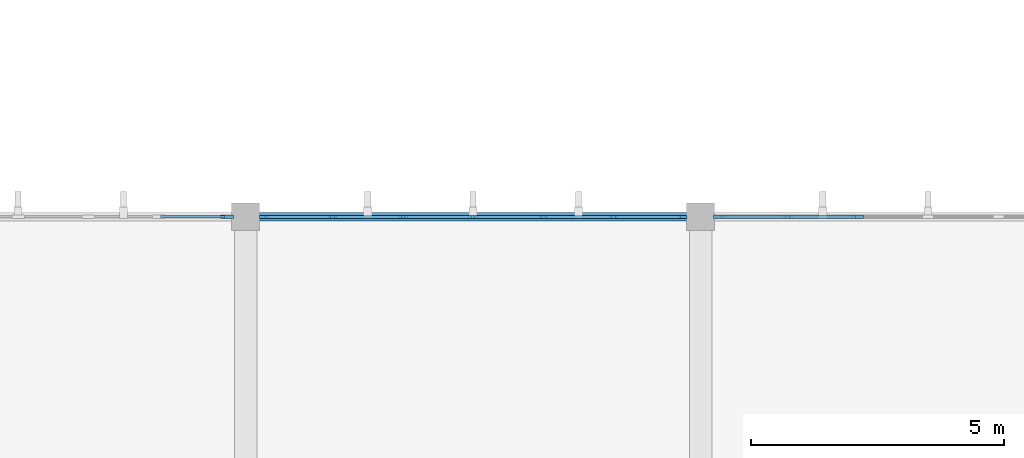
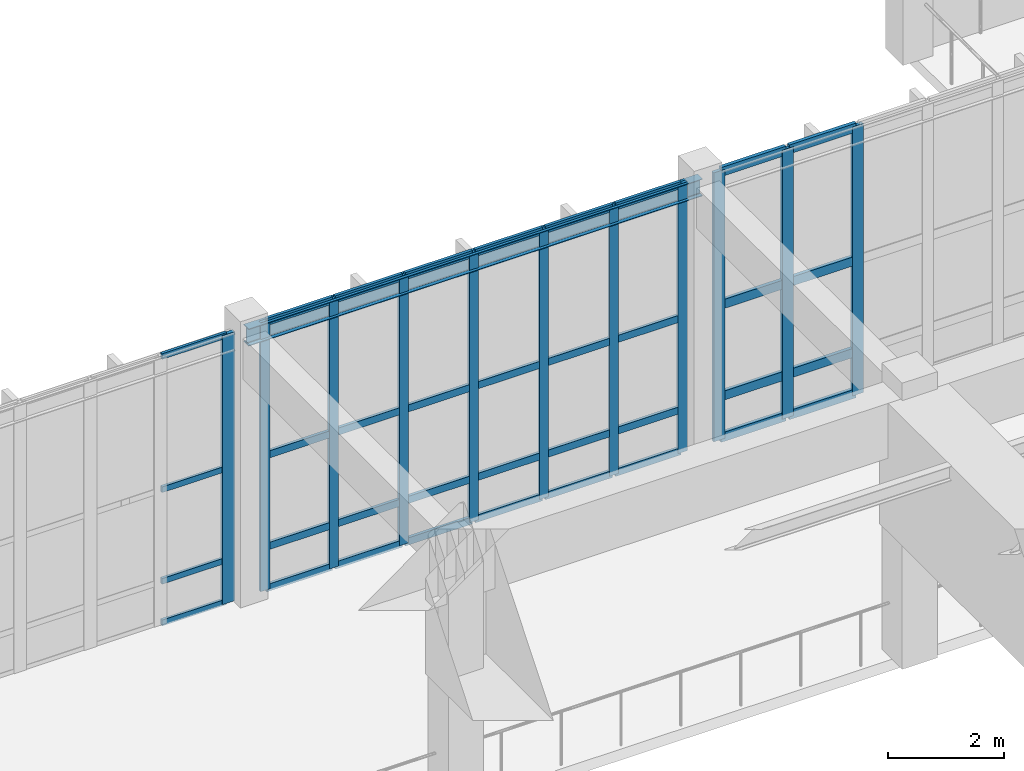
# One storey, part 43 of 105: 47 members, 1 beam, 3 elements without a shape of their own.
"""IFC4 building model written with IfcOpenShell, lengths in metres."""

from ifc_helpers import new_model, si_unit, direction, frame, origin, origin_2d, place, context, subcontext, project, spatial, rectangle, i_section, extrude, material, material_profile, profile_set, type_object, element, aggregate, save


model = new_model("IFC4")

# Units and contexts
model_context = context("Model", 3, precision=1e-05, world=origin(), true_north=direction((0.0, 1.0)))
body_context = subcontext(model_context, "Body", "Model", "MODEL_VIEW")
ifc_project = project(units=[si_unit("LENGTHUNIT", "METRE"), si_unit("AREAUNIT", "SQUARE_METRE"), si_unit("VOLUMEUNIT", "CUBIC_METRE"), si_unit("PLANEANGLEUNIT", "RADIAN"), si_unit("MASSUNIT", "GRAM", prefix="KILO")], contexts=[model_context])

# Site, building, storey
site_placement = place(None, origin())
site = spatial("IfcSite", under=ifc_project, at=site_placement, CompositionType="ELEMENT")
building_placement = place(site_placement, origin())
building = spatial("IfcBuilding", under=site, at=building_placement, Name="Tizgana Railside Sports Hall", CompositionType="ELEMENT")
storey_placement = place(building_placement, frame((0.0, 0.0, 6.0)))
storey = spatial("IfcBuildingStorey", under=building, at=storey_placement, Name="L01", CompositionType="ELEMENT", Elevation=6.0)

# Curtain wall, members
ifc_material_1 = material(Name="Anodised aluminium and glass", Category="aluminium")
curtain_wall_type_1 = type_object("IfcCurtainWallType", Name="Unitised Curtain Wall Studio 1400", PredefinedType="NOTDEFINED", material=ifc_material_1)
curtain_wall_1_placement = place(storey_placement, origin())
curtain_wall_1 = element("IfcCurtainWall", 1, at=curtain_wall_1_placement, inside=storey, type_object=curtain_wall_type_1, Name="L01 Curtain Wall CW-0026", PredefinedType="NOTDEFINED")
ifc_material_2 = material(Name="Anodised aluminium", Category="aluminium")
ifc_material_profile_1 = material_profile(ifc_material_2, rectangle(XDim=0.06005859375, YDim=0.179931640625, at=origin_2d()), Name="Mullion 60x180")
ifc_profile_set_1 = profile_set([ifc_material_profile_1], Name="Anodised aluminium")
member_type_1 = type_object("IfcMemberType", Name="Mullion 60x180", PredefinedType="MULLION", material=ifc_profile_set_1)
member_1_placement = place(storey_placement, frame((116.159912109375, 80.39990234375, 0.0), z_axis=(0.0, 0.0, 1.0), x_axis=(0.0, 1.0, 0.0)))
member_1 = element("IfcMember", 2, at=member_1_placement, type_object=member_type_1, Name="CW-03 mullion 1", PredefinedType="MULLION", context=body_context, shape_type="SweptSolid", body=[
    extrude(rectangle(XDim=0.06005859375, YDim=0.179931640625, at=origin_2d()), origin(), (0.0, 0.0, 1.0), 5.639892578125),
])
member_2_placement = place(storey_placement, frame((117.52001953125, 80.39990234375, 0.0), z_axis=(0.0, 0.0, 1.0), x_axis=(0.0, 1.0, 0.0)))
member_2 = element("IfcMember", 3, at=member_2_placement, type_object=member_type_1, Name="CW-03 mullion 2", PredefinedType="MULLION", context=body_context, shape_type="SweptSolid", body=[
    extrude(rectangle(XDim=0.06005859375, YDim=0.179931640625, at=origin_2d()), origin(), (0.0, 0.0, 1.0), 5.639892578125),
])
member_3_placement = place(storey_placement, frame((118.909912109375, 80.39990234375, 0.0), z_axis=(0.0, 0.0, 1.0), x_axis=(0.0, 1.0, 0.0)))
member_3 = element("IfcMember", 4, at=member_3_placement, type_object=member_type_1, Name="CW-03 mullion 3", PredefinedType="MULLION", context=body_context, shape_type="SweptSolid", body=[
    extrude(rectangle(XDim=0.06005859375, YDim=0.179931640625, at=origin_2d()), origin(), (0.0, 0.0, 1.0), 5.639892578125),
])
member_4_placement = place(storey_placement, frame((120.300048828125, 80.39990234375, 0.0), z_axis=(0.0, 0.0, 1.0), x_axis=(0.0, 1.0, 0.0)))
member_4 = element("IfcMember", 5, at=member_4_placement, type_object=member_type_1, Name="CW-03 mullion 4", PredefinedType="MULLION", context=body_context, shape_type="SweptSolid", body=[
    extrude(rectangle(XDim=0.06005859375, YDim=0.179931640625, at=origin_2d()), origin(), (0.0, 0.0, 1.0), 5.639892578125),
])
member_5_placement = place(storey_placement, frame((121.68994140625, 80.39990234375, 0.0), z_axis=(0.0, 0.0, 1.0), x_axis=(0.0, 1.0, 0.0)))
member_5 = element("IfcMember", 6, at=member_5_placement, type_object=member_type_1, Name="CW-03 mullion 5", PredefinedType="MULLION", context=body_context, shape_type="SweptSolid", body=[
    extrude(rectangle(XDim=0.06005859375, YDim=0.179931640625, at=origin_2d()), origin(), (0.0, 0.0, 1.0), 5.639892578125),
])
member_6_placement = place(storey_placement, frame((123.080078125, 80.39990234375, 0.0), z_axis=(0.0, 0.0, 1.0), x_axis=(0.0, 1.0, 0.0)))
member_6 = element("IfcMember", 7, at=member_6_placement, type_object=member_type_1, Name="CW-03 mullion 6", PredefinedType="MULLION", context=body_context, shape_type="SweptSolid", body=[
    extrude(rectangle(XDim=0.06005859375, YDim=0.179931640625, at=origin_2d()), origin(), (0.0, 0.0, 1.0), 5.639892578125),
])
member_7_placement = place(storey_placement, frame((124.43994140625, 80.39990234375, 0.0), z_axis=(0.0, 0.0, 1.0), x_axis=(0.0, 1.0, 0.0)))
member_7 = element("IfcMember", 8, at=member_7_placement, type_object=member_type_1, Name="CW-03 mullion 7", PredefinedType="MULLION", context=body_context, shape_type="SweptSolid", body=[
    extrude(rectangle(XDim=0.06005859375, YDim=0.179931640625, at=origin_2d()), origin(), (0.0, 0.0, 1.0), 5.639892578125),
])

curtain_wall_type_2 = type_object("IfcCurtainWallType", Name="Unitised Curtain Wall Clinic 1200", PredefinedType="NOTDEFINED", material=ifc_material_1)
curtain_wall_2_placement = place(storey_placement, origin())
curtain_wall_2 = element("IfcCurtainWall", 9, at=curtain_wall_2_placement, inside=storey, type_object=curtain_wall_type_2, Name="L01 Curtain Wall CW-0028", PredefinedType="NOTDEFINED")
ifc_material_profile_2 = material_profile(ifc_material_2, rectangle(XDim=0.070068359375, YDim=0.219970703125, at=origin_2d()), Name="Mullion 70x220")
ifc_profile_set_2 = profile_set([ifc_material_profile_2], Name="Anodised aluminium")
member_type_2 = type_object("IfcMemberType", Name="Mullion 70x220", PredefinedType="MULLION", material=ifc_profile_set_2)
member_8_placement = place(storey_placement, frame((125.1650390625, 80.39990234375, 0.0), z_axis=(0.0, 0.0, 1.0), x_axis=(0.0, 1.0, 0.0)))
member_8 = element("IfcMember", 10, at=member_8_placement, type_object=member_type_2, Name="CW-05 mullion 1", PredefinedType="MULLION", context=body_context, shape_type="SweptSolid", body=[
    extrude(rectangle(XDim=0.070068359375, YDim=0.219970703125, at=origin_2d()), origin(), (0.0, 0.0, 1.0), 5.639892578125),
])
member_9_placement = place(storey_placement, frame((126.52001953125, 80.39990234375, 0.0), z_axis=(0.0, 0.0, 1.0), x_axis=(0.0, 1.0, 0.0)))
member_9 = element("IfcMember", 11, at=member_9_placement, type_object=member_type_2, Name="CW-05 mullion 2", PredefinedType="MULLION", context=body_context, shape_type="SweptSolid", body=[
    extrude(rectangle(XDim=0.070068359375, YDim=0.219970703125, at=origin_2d()), origin(), (0.0, 0.0, 1.0), 5.639892578125),
])
member_10_placement = place(storey_placement, frame((127.909912109375, 80.39990234375, 0.0), z_axis=(0.0, 0.0, 1.0), x_axis=(0.0, 1.0, 0.0)))
member_10 = element("IfcMember", 12, at=member_10_placement, type_object=member_type_2, Name="CW-05 mullion 3", PredefinedType="MULLION", context=body_context, shape_type="SweptSolid", body=[
    extrude(rectangle(XDim=0.070068359375, YDim=0.219970703125, at=origin_2d()), origin(), (0.0, 0.0, 1.0), 5.639892578125),
])

# Curtain wall, member
curtain_wall_type_3 = type_object("IfcCurtainWallType", Name="Unitised Curtain Wall EastHall 1500", PredefinedType="NOTDEFINED", material=ifc_material_1)
curtain_wall_3_placement = place(storey_placement, origin())
curtain_wall_3 = element("IfcCurtainWall", 13, at=curtain_wall_3_placement, inside=storey, type_object=curtain_wall_type_3, Name="L01 Curtain Wall CW-0023", PredefinedType="NOTDEFINED")
ifc_material_profile_3 = material_profile(ifc_material_2, rectangle(XDim=0.074951171875, YDim=0.25, at=origin_2d()), Name="Mullion 75x250")
ifc_profile_set_3 = profile_set([ifc_material_profile_3], Name="Anodised aluminium")
member_type_3 = type_object("IfcMemberType", Name="Mullion 75x250", PredefinedType="MULLION", material=ifc_profile_set_3)
member_11_placement = place(storey_placement, frame((115.4326171875, 80.39990234375, 0.0), z_axis=(0.0, 0.0, 1.0), x_axis=(0.0, 1.0, 0.0)))
member_11 = element("IfcMember", 14, at=member_11_placement, type_object=member_type_3, Name="CW-08 mullion 7", PredefinedType="MULLION", context=body_context, shape_type="SweptSolid", body=[
    extrude(rectangle(XDim=0.074951171875, YDim=0.25, at=origin_2d()), origin(), (0.0, 0.0, 1.0), 5.639892578125),
])

# Beam
ifc_material_3 = material(Name="Steel S355J2", Category="steel")
ifc_material_profile_4 = material_profile(ifc_material_3, i_section(OverallWidth=0.169921875, OverallDepth=0.360107421875, WebThickness=0.008056640625, FlangeThickness=0.0126953125, FilletRadius=0.01806640625, at=origin_2d()), Name="IPE 360")
ifc_profile_set_4 = profile_set([ifc_material_profile_4], Name="Steel S355J2")
beam_type = type_object("IfcBeamType", Name="Steel Joist IPE 360", PredefinedType="JOIST", material=ifc_profile_set_4)
beam_placement = place(storey_placement, frame((115.800048828125, 80.39990234375, 5.4560546875), z_axis=(1.0, 0.0, 0.0), x_axis=(0.0, 1.0, 0.0)))
element("IfcBeam", 15, at=beam_placement, inside=storey, type_object=beam_type, Name="L01 BEM-0315", PredefinedType="JOIST", context=body_context, shape_type="SweptSolid", body=[
    extrude(i_section(OverallWidth=0.169921875, OverallDepth=0.360107421875, WebThickness=0.008056640625, FlangeThickness=0.0126953125, FilletRadius=0.01806640625, at=origin_2d()), origin(), (0.0, 0.0, 1.0), 9.0),
])

# Member
ifc_material_profile_5 = material_profile(ifc_material_2, rectangle(XDim=0.054931640625, YDim=0.1201171875, at=origin_2d()), Name="Transom 55x120")
ifc_profile_set_5 = profile_set([ifc_material_profile_5], Name="Anodised aluminium")
member_type_4 = type_object("IfcMemberType", Name="Transom 55x120", PredefinedType="USERDEFINED", material=ifc_profile_set_5)
member_12_placement = place(storey_placement, frame((114.117431640625, 80.39990234375, 0.027587890625), z_axis=(1.0, 0.0, 0.0), x_axis=(0.0, 1.0, 0.0)))
member_12 = element("IfcMember", 16, at=member_12_placement, type_object=member_type_4, Name="CW-08 transom 6.1", ObjectType="TRANSOM", PredefinedType="USERDEFINED", context=body_context, shape_type="SweptSolid", body=[
    extrude(rectangle(XDim=0.054931640625, YDim=0.1201171875, at=origin_2d()), origin(), (0.0, 0.0, 1.0), 1.277587890625),
])

member_13_placement = place(storey_placement, frame((114.117431640625, 80.39990234375, 0.89990234375), z_axis=(1.0, 0.0, 0.0), x_axis=(0.0, 1.0, 0.0)))
member_13 = element("IfcMember", 17, at=member_13_placement, type_object=member_type_4, Name="CW-08 transom 6.2", ObjectType="TRANSOM", PredefinedType="USERDEFINED", context=body_context, shape_type="SweptSolid", body=[
    extrude(rectangle(XDim=0.054931640625, YDim=0.1201171875, at=origin_2d()), origin(), (0.0, 0.0, 1.0), 1.277587890625),
])

member_14_placement = place(storey_placement, frame((114.117431640625, 80.39990234375, 2.820068359375), z_axis=(1.0, 0.0, 0.0), x_axis=(0.0, 1.0, 0.0)))
member_14 = element("IfcMember", 18, at=member_14_placement, type_object=member_type_4, Name="CW-08 transom 6.3", ObjectType="TRANSOM", PredefinedType="USERDEFINED", context=body_context, shape_type="SweptSolid", body=[
    extrude(rectangle(XDim=0.054931640625, YDim=0.1201171875, at=origin_2d()), origin(), (0.0, 0.0, 1.0), 1.277587890625),
])

member_15_placement = place(storey_placement, frame((114.117431640625, 80.39990234375, 5.612548828125), z_axis=(1.0, 0.0, 0.0), x_axis=(0.0, 1.0, 0.0)))
member_15 = element("IfcMember", 19, at=member_15_placement, type_object=member_type_4, Name="CW-08 transom 6.4", ObjectType="TRANSOM", PredefinedType="USERDEFINED", context=body_context, shape_type="SweptSolid", body=[
    extrude(rectangle(XDim=0.054931640625, YDim=0.1201171875, at=origin_2d()), origin(), (0.0, 0.0, 1.0), 1.277587890625),
])

aggregate(curtain_wall_3, [member_11, member_12, member_13, member_14, member_15])

ifc_material_profile_6 = material_profile(ifc_material_2, rectangle(XDim=0.06005859375, YDim=0.14990234375, at=origin_2d()), Name="Transom 60x150")
ifc_profile_set_6 = profile_set([ifc_material_profile_6], Name="Anodised aluminium")
member_type_5 = type_object("IfcMemberType", Name="Transom 60x150", PredefinedType="USERDEFINED", material=ifc_profile_set_6)
member_16_placement = place(storey_placement, frame((116.18994140625, 80.39990234375, 0.030029296875), z_axis=(1.0, 0.0, 0.0), x_axis=(0.0, 1.0, 0.0)))
member_16 = element("IfcMember", 20, at=member_16_placement, type_object=member_type_5, Name="CW-03 transom 1.1", ObjectType="TRANSOM", PredefinedType="USERDEFINED", context=body_context, shape_type="SweptSolid", body=[
    extrude(rectangle(XDim=0.06005859375, YDim=0.14990234375, at=origin_2d()), origin(), (0.0, 0.0, 1.0), 1.300048828125),
])

member_17_placement = place(storey_placement, frame((116.18994140625, 80.39990234375, 0.89990234375), z_axis=(1.0, 0.0, 0.0), x_axis=(0.0, 1.0, 0.0)))
member_17 = element("IfcMember", 21, at=member_17_placement, type_object=member_type_5, Name="CW-03 transom 1.2", ObjectType="TRANSOM", PredefinedType="USERDEFINED", context=body_context, shape_type="SweptSolid", body=[
    extrude(rectangle(XDim=0.06005859375, YDim=0.14990234375, at=origin_2d()), origin(), (0.0, 0.0, 1.0), 1.300048828125),
])

member_18_placement = place(storey_placement, frame((116.18994140625, 80.39990234375, 2.820068359375), z_axis=(1.0, 0.0, 0.0), x_axis=(0.0, 1.0, 0.0)))
member_18 = element("IfcMember", 22, at=member_18_placement, type_object=member_type_5, Name="CW-03 transom 1.3", ObjectType="TRANSOM", PredefinedType="USERDEFINED", context=body_context, shape_type="SweptSolid", body=[
    extrude(rectangle(XDim=0.06005859375, YDim=0.14990234375, at=origin_2d()), origin(), (0.0, 0.0, 1.0), 1.300048828125),
])

member_19_placement = place(storey_placement, frame((116.18994140625, 80.39990234375, 5.610107421875), z_axis=(1.0, 0.0, 0.0), x_axis=(0.0, 1.0, 0.0)))
member_19 = element("IfcMember", 23, at=member_19_placement, type_object=member_type_5, Name="CW-03 transom 1.4", ObjectType="TRANSOM", PredefinedType="USERDEFINED", context=body_context, shape_type="SweptSolid", body=[
    extrude(rectangle(XDim=0.06005859375, YDim=0.14990234375, at=origin_2d()), origin(), (0.0, 0.0, 1.0), 1.300048828125),
])

member_20_placement = place(storey_placement, frame((117.550048828125, 80.39990234375, 0.030029296875), z_axis=(1.0, 0.0, 0.0), x_axis=(0.0, 1.0, 0.0)))
member_20 = element("IfcMember", 24, at=member_20_placement, type_object=member_type_5, Name="CW-03 transom 2.1", ObjectType="TRANSOM", PredefinedType="USERDEFINED", context=body_context, shape_type="SweptSolid", body=[
    extrude(rectangle(XDim=0.06005859375, YDim=0.14990234375, at=origin_2d()), origin(), (0.0, 0.0, 1.0), 1.329833984375),
])

member_21_placement = place(storey_placement, frame((117.550048828125, 80.39990234375, 0.89990234375), z_axis=(1.0, 0.0, 0.0), x_axis=(0.0, 1.0, 0.0)))
member_21 = element("IfcMember", 25, at=member_21_placement, type_object=member_type_5, Name="CW-03 transom 2.2", ObjectType="TRANSOM", PredefinedType="USERDEFINED", context=body_context, shape_type="SweptSolid", body=[
    extrude(rectangle(XDim=0.06005859375, YDim=0.14990234375, at=origin_2d()), origin(), (0.0, 0.0, 1.0), 1.329833984375),
])

member_22_placement = place(storey_placement, frame((117.550048828125, 80.39990234375, 2.820068359375), z_axis=(1.0, 0.0, 0.0), x_axis=(0.0, 1.0, 0.0)))
member_22 = element("IfcMember", 26, at=member_22_placement, type_object=member_type_5, Name="CW-03 transom 2.3", ObjectType="TRANSOM", PredefinedType="USERDEFINED", context=body_context, shape_type="SweptSolid", body=[
    extrude(rectangle(XDim=0.06005859375, YDim=0.14990234375, at=origin_2d()), origin(), (0.0, 0.0, 1.0), 1.329833984375),
])

member_23_placement = place(storey_placement, frame((117.550048828125, 80.39990234375, 5.610107421875), z_axis=(1.0, 0.0, 0.0), x_axis=(0.0, 1.0, 0.0)))
member_23 = element("IfcMember", 27, at=member_23_placement, type_object=member_type_5, Name="CW-03 transom 2.4", ObjectType="TRANSOM", PredefinedType="USERDEFINED", context=body_context, shape_type="SweptSolid", body=[
    extrude(rectangle(XDim=0.06005859375, YDim=0.14990234375, at=origin_2d()), origin(), (0.0, 0.0, 1.0), 1.329833984375),
])

member_24_placement = place(storey_placement, frame((118.93994140625, 80.39990234375, 0.030029296875), z_axis=(1.0, 0.0, 0.0), x_axis=(0.0, 1.0, 0.0)))
member_24 = element("IfcMember", 28, at=member_24_placement, type_object=member_type_5, Name="CW-03 transom 3.1", ObjectType="TRANSOM", PredefinedType="USERDEFINED", context=body_context, shape_type="SweptSolid", body=[
    extrude(rectangle(XDim=0.06005859375, YDim=0.14990234375, at=origin_2d()), origin(), (0.0, 0.0, 1.0), 1.330078125),
])

member_25_placement = place(storey_placement, frame((118.93994140625, 80.39990234375, 0.89990234375), z_axis=(1.0, 0.0, 0.0), x_axis=(0.0, 1.0, 0.0)))
member_25 = element("IfcMember", 29, at=member_25_placement, type_object=member_type_5, Name="CW-03 transom 3.2", ObjectType="TRANSOM", PredefinedType="USERDEFINED", context=body_context, shape_type="SweptSolid", body=[
    extrude(rectangle(XDim=0.06005859375, YDim=0.14990234375, at=origin_2d()), origin(), (0.0, 0.0, 1.0), 1.330078125),
])

member_26_placement = place(storey_placement, frame((118.93994140625, 80.39990234375, 2.820068359375), z_axis=(1.0, 0.0, 0.0), x_axis=(0.0, 1.0, 0.0)))
member_26 = element("IfcMember", 30, at=member_26_placement, type_object=member_type_5, Name="CW-03 transom 3.3", ObjectType="TRANSOM", PredefinedType="USERDEFINED", context=body_context, shape_type="SweptSolid", body=[
    extrude(rectangle(XDim=0.06005859375, YDim=0.14990234375, at=origin_2d()), origin(), (0.0, 0.0, 1.0), 1.330078125),
])

member_27_placement = place(storey_placement, frame((118.93994140625, 80.39990234375, 5.610107421875), z_axis=(1.0, 0.0, 0.0), x_axis=(0.0, 1.0, 0.0)))
member_27 = element("IfcMember", 31, at=member_27_placement, type_object=member_type_5, Name="CW-03 transom 3.4", ObjectType="TRANSOM", PredefinedType="USERDEFINED", context=body_context, shape_type="SweptSolid", body=[
    extrude(rectangle(XDim=0.06005859375, YDim=0.14990234375, at=origin_2d()), origin(), (0.0, 0.0, 1.0), 1.330078125),
])

member_28_placement = place(storey_placement, frame((120.330078125, 80.39990234375, 0.030029296875), z_axis=(1.0, 0.0, 0.0), x_axis=(0.0, 1.0, 0.0)))
member_28 = element("IfcMember", 32, at=member_28_placement, type_object=member_type_5, Name="CW-03 transom 4.1", ObjectType="TRANSOM", PredefinedType="USERDEFINED", context=body_context, shape_type="SweptSolid", body=[
    extrude(rectangle(XDim=0.06005859375, YDim=0.14990234375, at=origin_2d()), origin(), (0.0, 0.0, 1.0), 1.329833984375),
])

member_29_placement = place(storey_placement, frame((120.330078125, 80.39990234375, 0.89990234375), z_axis=(1.0, 0.0, 0.0), x_axis=(0.0, 1.0, 0.0)))
member_29 = element("IfcMember", 33, at=member_29_placement, type_object=member_type_5, Name="CW-03 transom 4.2", ObjectType="TRANSOM", PredefinedType="USERDEFINED", context=body_context, shape_type="SweptSolid", body=[
    extrude(rectangle(XDim=0.06005859375, YDim=0.14990234375, at=origin_2d()), origin(), (0.0, 0.0, 1.0), 1.329833984375),
])

member_30_placement = place(storey_placement, frame((120.330078125, 80.39990234375, 2.820068359375), z_axis=(1.0, 0.0, 0.0), x_axis=(0.0, 1.0, 0.0)))
member_30 = element("IfcMember", 34, at=member_30_placement, type_object=member_type_5, Name="CW-03 transom 4.3", ObjectType="TRANSOM", PredefinedType="USERDEFINED", context=body_context, shape_type="SweptSolid", body=[
    extrude(rectangle(XDim=0.06005859375, YDim=0.14990234375, at=origin_2d()), origin(), (0.0, 0.0, 1.0), 1.329833984375),
])

member_31_placement = place(storey_placement, frame((120.330078125, 80.39990234375, 5.610107421875), z_axis=(1.0, 0.0, 0.0), x_axis=(0.0, 1.0, 0.0)))
member_31 = element("IfcMember", 35, at=member_31_placement, type_object=member_type_5, Name="CW-03 transom 4.4", ObjectType="TRANSOM", PredefinedType="USERDEFINED", context=body_context, shape_type="SweptSolid", body=[
    extrude(rectangle(XDim=0.06005859375, YDim=0.14990234375, at=origin_2d()), origin(), (0.0, 0.0, 1.0), 1.329833984375),
])

member_32_placement = place(storey_placement, frame((121.719970703125, 80.39990234375, 0.030029296875), z_axis=(1.0, 0.0, 0.0), x_axis=(0.0, 1.0, 0.0)))
member_32 = element("IfcMember", 36, at=member_32_placement, type_object=member_type_5, Name="CW-03 transom 5.1", ObjectType="TRANSOM", PredefinedType="USERDEFINED", context=body_context, shape_type="SweptSolid", body=[
    extrude(rectangle(XDim=0.06005859375, YDim=0.14990234375, at=origin_2d()), origin(), (0.0, 0.0, 1.0), 1.330078125),
])

member_33_placement = place(storey_placement, frame((121.719970703125, 80.39990234375, 0.89990234375), z_axis=(1.0, 0.0, 0.0), x_axis=(0.0, 1.0, 0.0)))
member_33 = element("IfcMember", 37, at=member_33_placement, type_object=member_type_5, Name="CW-03 transom 5.2", ObjectType="TRANSOM", PredefinedType="USERDEFINED", context=body_context, shape_type="SweptSolid", body=[
    extrude(rectangle(XDim=0.06005859375, YDim=0.14990234375, at=origin_2d()), origin(), (0.0, 0.0, 1.0), 1.330078125),
])

member_34_placement = place(storey_placement, frame((121.719970703125, 80.39990234375, 2.820068359375), z_axis=(1.0, 0.0, 0.0), x_axis=(0.0, 1.0, 0.0)))
member_34 = element("IfcMember", 38, at=member_34_placement, type_object=member_type_5, Name="CW-03 transom 5.3", ObjectType="TRANSOM", PredefinedType="USERDEFINED", context=body_context, shape_type="SweptSolid", body=[
    extrude(rectangle(XDim=0.06005859375, YDim=0.14990234375, at=origin_2d()), origin(), (0.0, 0.0, 1.0), 1.330078125),
])

member_35_placement = place(storey_placement, frame((121.719970703125, 80.39990234375, 5.610107421875), z_axis=(1.0, 0.0, 0.0), x_axis=(0.0, 1.0, 0.0)))
member_35 = element("IfcMember", 39, at=member_35_placement, type_object=member_type_5, Name="CW-03 transom 5.4", ObjectType="TRANSOM", PredefinedType="USERDEFINED", context=body_context, shape_type="SweptSolid", body=[
    extrude(rectangle(XDim=0.06005859375, YDim=0.14990234375, at=origin_2d()), origin(), (0.0, 0.0, 1.0), 1.330078125),
])

member_36_placement = place(storey_placement, frame((123.110107421875, 80.39990234375, 0.030029296875), z_axis=(1.0, 0.0, 0.0), x_axis=(0.0, 1.0, 0.0)))
member_36 = element("IfcMember", 40, at=member_36_placement, type_object=member_type_5, Name="CW-03 transom 6.1", ObjectType="TRANSOM", PredefinedType="USERDEFINED", context=body_context, shape_type="SweptSolid", body=[
    extrude(rectangle(XDim=0.06005859375, YDim=0.14990234375, at=origin_2d()), origin(), (0.0, 0.0, 1.0), 1.2998046875),
])

member_37_placement = place(storey_placement, frame((123.110107421875, 80.39990234375, 0.89990234375), z_axis=(1.0, 0.0, 0.0), x_axis=(0.0, 1.0, 0.0)))
member_37 = element("IfcMember", 41, at=member_37_placement, type_object=member_type_5, Name="CW-03 transom 6.2", ObjectType="TRANSOM", PredefinedType="USERDEFINED", context=body_context, shape_type="SweptSolid", body=[
    extrude(rectangle(XDim=0.06005859375, YDim=0.14990234375, at=origin_2d()), origin(), (0.0, 0.0, 1.0), 1.2998046875),
])

member_38_placement = place(storey_placement, frame((123.110107421875, 80.39990234375, 2.820068359375), z_axis=(1.0, 0.0, 0.0), x_axis=(0.0, 1.0, 0.0)))
member_38 = element("IfcMember", 42, at=member_38_placement, type_object=member_type_5, Name="CW-03 transom 6.3", ObjectType="TRANSOM", PredefinedType="USERDEFINED", context=body_context, shape_type="SweptSolid", body=[
    extrude(rectangle(XDim=0.06005859375, YDim=0.14990234375, at=origin_2d()), origin(), (0.0, 0.0, 1.0), 1.2998046875),
])

member_39_placement = place(storey_placement, frame((123.110107421875, 80.39990234375, 5.610107421875), z_axis=(1.0, 0.0, 0.0), x_axis=(0.0, 1.0, 0.0)))
member_39 = element("IfcMember", 43, at=member_39_placement, type_object=member_type_5, Name="CW-03 transom 6.4", ObjectType="TRANSOM", PredefinedType="USERDEFINED", context=body_context, shape_type="SweptSolid", body=[
    extrude(rectangle(XDim=0.06005859375, YDim=0.14990234375, at=origin_2d()), origin(), (0.0, 0.0, 1.0), 1.2998046875),
])

aggregate(curtain_wall_1, [member_1, member_2, member_3, member_4, member_5, member_6, member_7, member_16, member_17, member_18, member_19, member_20, member_21, member_22, member_23, member_24, member_25, member_26, member_27, member_28, member_29, member_30, member_31, member_32, member_33, member_34, member_35, member_36, member_37, member_38, member_39])

ifc_material_profile_7 = material_profile(ifc_material_2, rectangle(XDim=0.070068359375, YDim=0.18994140625, at=origin_2d()), Name="Transom 70x190")
ifc_profile_set_7 = profile_set([ifc_material_profile_7], Name="Anodised aluminium")
member_type_6 = type_object("IfcMemberType", Name="Transom 70x190", PredefinedType="USERDEFINED", material=ifc_profile_set_7)
member_40_placement = place(storey_placement, frame((125.199951171875, 80.39990234375, 0.034912109375), z_axis=(1.0, 0.0, 0.0), x_axis=(0.0, 1.0, 0.0)))
member_40 = element("IfcMember", 44, at=member_40_placement, type_object=member_type_6, Name="CW-05 transom 1.1", ObjectType="TRANSOM", PredefinedType="USERDEFINED", context=body_context, shape_type="SweptSolid", body=[
    extrude(rectangle(XDim=0.070068359375, YDim=0.18994140625, at=origin_2d()), origin(), (0.0, 0.0, 1.0), 1.28515625),
])

member_41_placement = place(storey_placement, frame((125.199951171875, 80.39990234375, 0.89990234375), z_axis=(1.0, 0.0, 0.0), x_axis=(0.0, 1.0, 0.0)))
member_41 = element("IfcMember", 45, at=member_41_placement, type_object=member_type_6, Name="CW-05 transom 1.2", ObjectType="TRANSOM", PredefinedType="USERDEFINED", context=body_context, shape_type="SweptSolid", body=[
    extrude(rectangle(XDim=0.070068359375, YDim=0.18994140625, at=origin_2d()), origin(), (0.0, 0.0, 1.0), 1.28515625),
])

member_42_placement = place(storey_placement, frame((125.199951171875, 80.39990234375, 2.820068359375), z_axis=(1.0, 0.0, 0.0), x_axis=(0.0, 1.0, 0.0)))
member_42 = element("IfcMember", 46, at=member_42_placement, type_object=member_type_6, Name="CW-05 transom 1.3", ObjectType="TRANSOM", PredefinedType="USERDEFINED", context=body_context, shape_type="SweptSolid", body=[
    extrude(rectangle(XDim=0.070068359375, YDim=0.18994140625, at=origin_2d()), origin(), (0.0, 0.0, 1.0), 1.28515625),
])

member_43_placement = place(storey_placement, frame((125.199951171875, 80.39990234375, 5.60498046875), z_axis=(1.0, 0.0, 0.0), x_axis=(0.0, 1.0, 0.0)))
member_43 = element("IfcMember", 47, at=member_43_placement, type_object=member_type_6, Name="CW-05 transom 1.4", ObjectType="TRANSOM", PredefinedType="USERDEFINED", context=body_context, shape_type="SweptSolid", body=[
    extrude(rectangle(XDim=0.070068359375, YDim=0.18994140625, at=origin_2d()), origin(), (0.0, 0.0, 1.0), 1.28515625),
])

member_44_placement = place(storey_placement, frame((126.554931640625, 80.39990234375, 0.034912109375), z_axis=(1.0, 0.0, 0.0), x_axis=(0.0, 1.0, 0.0)))
member_44 = element("IfcMember", 48, at=member_44_placement, type_object=member_type_6, Name="CW-05 transom 2.1", ObjectType="TRANSOM", PredefinedType="USERDEFINED", context=body_context, shape_type="SweptSolid", body=[
    extrude(rectangle(XDim=0.070068359375, YDim=0.18994140625, at=origin_2d()), origin(), (0.0, 0.0, 1.0), 1.320068359375),
])

member_45_placement = place(storey_placement, frame((126.554931640625, 80.39990234375, 0.89990234375), z_axis=(1.0, 0.0, 0.0), x_axis=(0.0, 1.0, 0.0)))
member_45 = element("IfcMember", 49, at=member_45_placement, type_object=member_type_6, Name="CW-05 transom 2.2", ObjectType="TRANSOM", PredefinedType="USERDEFINED", context=body_context, shape_type="SweptSolid", body=[
    extrude(rectangle(XDim=0.070068359375, YDim=0.18994140625, at=origin_2d()), origin(), (0.0, 0.0, 1.0), 1.320068359375),
])

member_46_placement = place(storey_placement, frame((126.554931640625, 80.39990234375, 2.820068359375), z_axis=(1.0, 0.0, 0.0), x_axis=(0.0, 1.0, 0.0)))
member_46 = element("IfcMember", 50, at=member_46_placement, type_object=member_type_6, Name="CW-05 transom 2.3", ObjectType="TRANSOM", PredefinedType="USERDEFINED", context=body_context, shape_type="SweptSolid", body=[
    extrude(rectangle(XDim=0.070068359375, YDim=0.18994140625, at=origin_2d()), origin(), (0.0, 0.0, 1.0), 1.320068359375),
])

member_47_placement = place(storey_placement, frame((126.554931640625, 80.39990234375, 5.60498046875), z_axis=(1.0, 0.0, 0.0), x_axis=(0.0, 1.0, 0.0)))
member_47 = element("IfcMember", 51, at=member_47_placement, type_object=member_type_6, Name="CW-05 transom 2.4", ObjectType="TRANSOM", PredefinedType="USERDEFINED", context=body_context, shape_type="SweptSolid", body=[
    extrude(rectangle(XDim=0.070068359375, YDim=0.18994140625, at=origin_2d()), origin(), (0.0, 0.0, 1.0), 1.320068359375),
])

aggregate(curtain_wall_2, [member_8, member_9, member_10, member_40, member_41, member_42, member_43, member_44, member_45, member_46, member_47])

save(model, "model.ifc")
